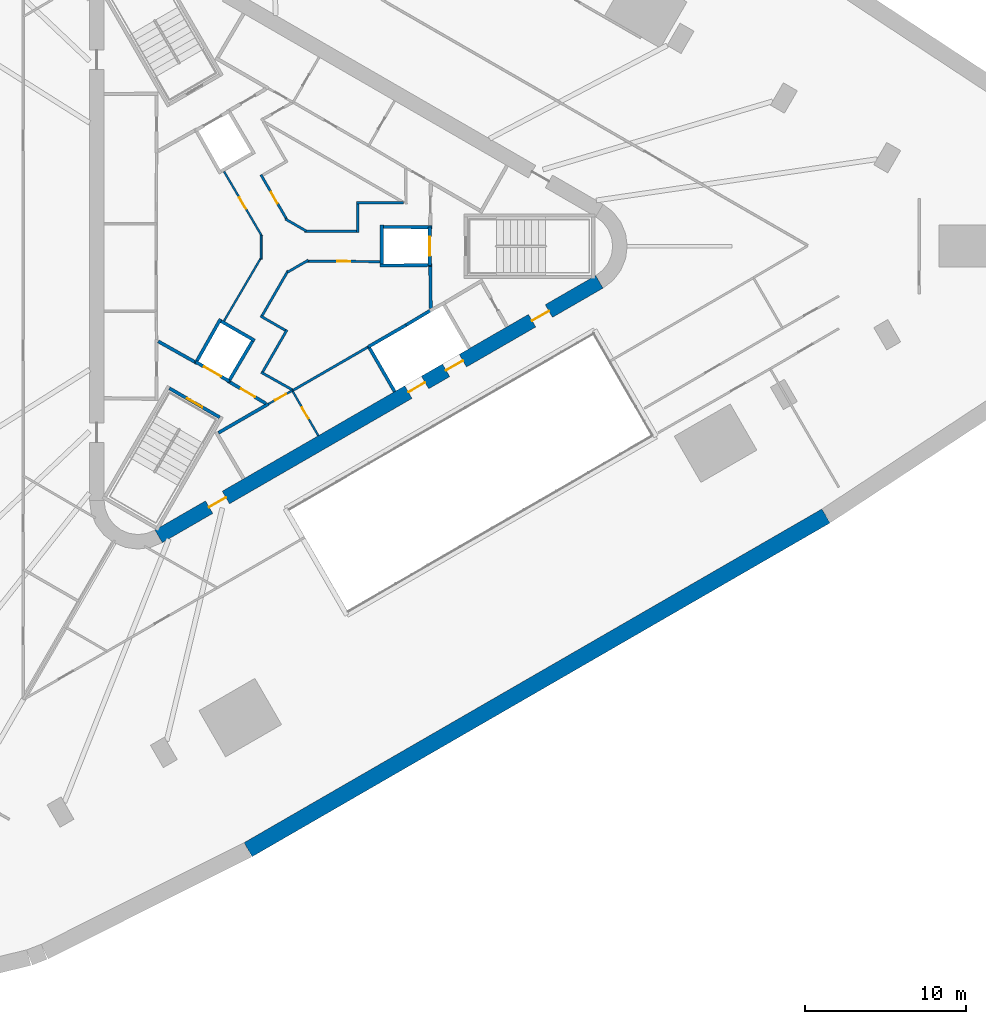
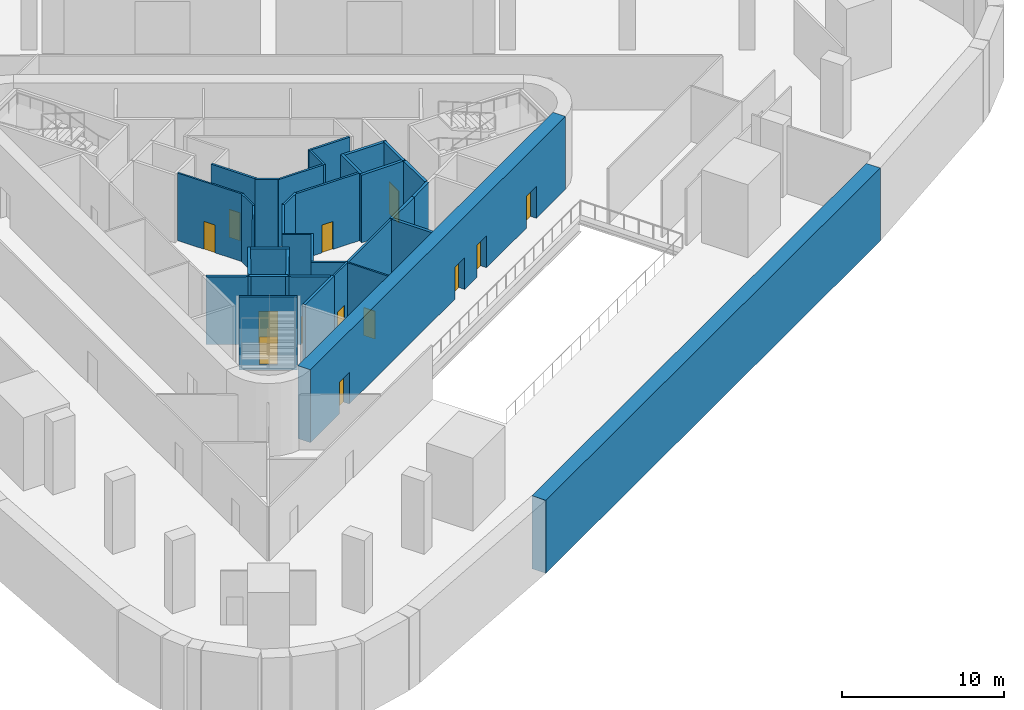
# One storey, part 6 of 13: 35 walls, 13 doors, 13 openings.
"""IFC4 building model written with IfcOpenShell, lengths in metres."""

from ifc_helpers import new_model, si_unit, direction, frame, frame_2d, origin, place, context, subcontext, project, spatial, rectangle, extrude, material, layer, layer_set, type_object, element, fill, save


model = new_model("IFC4")

# Units and contexts
model_context = context("Model", 3, precision=1e-05, world=origin(), true_north=direction((0.0, 1.0)))
body_context = subcontext(model_context, "Body", "Model", "MODEL_VIEW")
ifc_project = project(units=[si_unit("LENGTHUNIT", "METRE"), si_unit("AREAUNIT", "SQUARE_METRE"), si_unit("VOLUMEUNIT", "CUBIC_METRE"), si_unit("PLANEANGLEUNIT", "RADIAN"), si_unit("MASSUNIT", "GRAM", prefix="KILO")], contexts=[model_context])

# Site, building, storey
site_placement = place(None, origin())
site = spatial("IfcSite", under=ifc_project, at=site_placement, CompositionType="ELEMENT")
building_placement = place(site_placement, origin())
building = spatial("IfcBuilding", under=site, at=building_placement, Name="Tanit Gate Tower", CompositionType="ELEMENT")
storey_placement = place(building_placement, frame((0.0, 0.0, -5.5)))
storey = spatial("IfcBuildingStorey", under=building, at=storey_placement, Name="B1", CompositionType="ELEMENT", Elevation=-5.5)

# Wall, openings, doors
ifc_material_1 = material(Name="Concrete C60/75", Category="concrete")
ifc_layer_1 = layer(ifc_material_1, 0.89990234375)
ifc_layer_set_1 = layer_set([ifc_layer_1], Name="CORE WALL 900 C60/75")
wall_type_1 = type_object("IfcWallType", Name="CORE WALL 900 C60/75", PredefinedType="SHEAR", material=ifc_layer_set_1)
wall_1_placement = place(storey_placement, frame((-7.824951171875, -17.969970703125, 0.0), z_axis=(0.0, 0.0, 1.0), x_axis=(0.866028369851, 0.499994862586, 0.0)))
wall_1 = element("IfcWall", 1, at=wall_1_placement, inside=storey, type_object=wall_type_1, Name="CORE WALL", PredefinedType="SHEAR", context=body_context, shape_type="SweptSolid", body=[
    extrude(rectangle(XDim=31.523193359375, YDim=0.89990234375, at=frame_2d((15.76171875, 0.0))), origin(), (0.0, 0.0, 1.0), 5.5),
])
opening_1_placement = place(wall_1_placement, frame((17.861572265625, 0.0, 0.0)))
opening_1 = element("IfcOpeningElement", 2, at=opening_1_placement, cuts=wall_1, Name="Opening LDSV1-B1", PredefinedType="OPENING", context=body_context, shape_type="SweptSolid", body=[
    extrude(rectangle(XDim=1.199951171875, YDim=2.39990234375, at=frame_2d((0.60009765625, 1.199951171875))), frame((0.0, 0.4599609375, 0.0), z_axis=(0.0, -1.0, 0.0), x_axis=(1.0, 0.0, 0.0)), (0.0, 0.0, 1.0), 0.919921875),
])
opening_2_placement = place(wall_1_placement, frame((20.561767578125, 0.0, 0.0)))
opening_2 = element("IfcOpeningElement", 3, at=opening_2_placement, cuts=wall_1, Name="Opening LDSV2-B1", PredefinedType="OPENING", context=body_context, shape_type="SweptSolid", body=[
    extrude(rectangle(XDim=1.199951171875, YDim=2.39990234375, at=frame_2d((0.60009765625, 1.199951171875))), frame((0.0, 0.4599609375, 0.0), z_axis=(0.0, -1.0, 0.0), x_axis=(1.0, 0.0, 0.0)), (0.0, 0.0, 1.0), 0.919921875),
])
opening_3_placement = place(wall_1_placement, frame((26.711669921875, 0.0, 0.0)))
opening_3 = element("IfcOpeningElement", 4, at=opening_3_placement, cuts=wall_1, Name="Opening F12-B1-S1", PredefinedType="OPENING", context=body_context, shape_type="SweptSolid", body=[
    extrude(rectangle(XDim=1.199951171875, YDim=2.39990234375, at=frame_2d((0.60009765625, 1.199951171875))), frame((0.0, 0.4599609375, 0.0), z_axis=(0.0, -1.0, 0.0), x_axis=(1.0, 0.0, 0.0)), (0.0, 0.0, 1.0), 0.919921875),
])
opening_4_placement = place(wall_1_placement, frame((3.611572265625, 0.0, 0.0)))
opening_4 = element("IfcOpeningElement", 5, at=opening_4_placement, cuts=wall_1, Name="Opening F12-B1-FL3", PredefinedType="OPENING", context=body_context, shape_type="SweptSolid", body=[
    extrude(rectangle(XDim=1.199951171875, YDim=2.39990234375, at=frame_2d((0.60009765625, 1.199951171875))), frame((0.0, 0.4599609375, 0.0), z_axis=(0.0, -1.0, 0.0), x_axis=(1.0, 0.0, 0.0)), (0.0, 0.0, 1.0), 0.919921875),
])
ifc_material_2 = material(Name="Fire-rated steel door leaf", Category="steel")
door_type_1 = type_object("IfcDoorType", Name="INT-DOOR-FIRE-LOBBY-1200", OperationType="NOTDEFINED", PredefinedType="USERDEFINED", material=ifc_material_2)
door_1_placement = place(opening_3_placement, origin())
door_1 = element("IfcDoor", 6, at=door_1_placement, inside=storey, type_object=door_type_1, Name="Door F12-B1-S1", ObjectType="FIRE DOOR", OperationType="SINGLE_SWING_LEFT", OverallHeight=2.39990234375, OverallWidth=1.199951171875, PredefinedType="USERDEFINED", context=body_context, shape_type="SweptSolid", body=[
    extrude(rectangle(XDim=1.199951171875, YDim=2.39990234375, at=frame_2d((0.60009765625, 1.199951171875))), frame((0.0, 0.02490234375, 0.0), z_axis=(0.0, -1.0, 0.0), x_axis=(1.0, 0.0, 0.0)), (0.0, 0.0, 1.0), 0.050048828125),
])
fill(opening_3, door_1)
door_2_placement = place(opening_4_placement, origin())
door_2 = element("IfcDoor", 7, at=door_2_placement, inside=storey, type_object=door_type_1, Name="Door F12-B1-FL3", ObjectType="FIRE DOOR", OperationType="SINGLE_SWING_RIGHT", OverallHeight=2.39990234375, OverallWidth=1.199951171875, PredefinedType="USERDEFINED", context=body_context, shape_type="SweptSolid", body=[
    extrude(rectangle(XDim=1.199951171875, YDim=2.39990234375, at=frame_2d((0.60009765625, 1.199951171875))), frame((0.0, 0.02490234375, 0.0), z_axis=(0.0, -1.0, 0.0), x_axis=(1.0, 0.0, 0.0)), (0.0, 0.0, 1.0), 0.050048828125),
])
fill(opening_4, door_2)
ifc_material_3 = material(Name="Stainless steel sliding door leaf", Category="steel")
door_type_2 = type_object("IfcDoorType", Name="INT-DOOR-LANDING-1200", OperationType="NOTDEFINED", PredefinedType="USERDEFINED", material=ifc_material_3)
door_3_placement = place(opening_1_placement, origin())
door_3 = element("IfcDoor", 8, at=door_3_placement, inside=storey, type_object=door_type_2, Name="Door LDSV1-B1", ObjectType="LANDING DOOR", OperationType="SLIDING_TO_LEFT", OverallHeight=2.39990234375, OverallWidth=1.199951171875, PredefinedType="USERDEFINED", context=body_context, shape_type="SweptSolid", body=[
    extrude(rectangle(XDim=1.199951171875, YDim=2.39990234375, at=frame_2d((0.60009765625, 1.199951171875))), frame((0.0, 0.02490234375, 0.0), z_axis=(0.0, -1.0, 0.0), x_axis=(1.0, 0.0, 0.0)), (0.0, 0.0, 1.0), 0.050048828125),
])
fill(opening_1, door_3)
door_4_placement = place(opening_2_placement, origin())
door_4 = element("IfcDoor", 9, at=door_4_placement, inside=storey, type_object=door_type_2, Name="Door LDSV2-B1", ObjectType="LANDING DOOR", OperationType="SLIDING_TO_LEFT", OverallHeight=2.39990234375, OverallWidth=1.199951171875, PredefinedType="USERDEFINED", context=body_context, shape_type="SweptSolid", body=[
    extrude(rectangle(XDim=1.199951171875, YDim=2.39990234375, at=frame_2d((0.60009765625, 1.199951171875))), frame((0.0, 0.02490234375, 0.0), z_axis=(0.0, -1.0, 0.0), x_axis=(1.0, 0.0, 0.0)), (0.0, 0.0, 1.0), 0.050048828125),
])
fill(opening_2, door_4)

# Walls
ifc_material_4 = material(Name="Concrete C35/45", Category="concrete")
ifc_layer_2 = layer(ifc_material_4, 1.0)
ifc_layer_set_2 = layer_set([ifc_layer_2], Name="DIAPHRAGM WALL 1000 C35/45")
wall_type_2 = type_object("IfcWallType", Name="DIAPHRAGM WALL 1000 C35/45", PredefinedType="SHEAR", material=ifc_layer_set_2)
wall_2_placement = place(storey_placement, frame((33.51171875, -16.709716796875, 0.0), z_axis=(0.0, 0.0, 1.0), x_axis=(-0.865991212225, -0.500059216843, 0.0)))
element("IfcWall", 10, at=wall_2_placement, inside=storey, type_object=wall_type_2, Name="DIAPHRAGM WALL", PredefinedType="SHEAR", context=body_context, shape_type="SweptSolid", body=[
    extrude(rectangle(XDim=41.33349609375, YDim=1.0, at=frame_2d((20.666748046875, 0.0))), origin(), (0.0, 0.0, 1.0), 5.5),
])
ifc_material_5 = material(Name="Fire-rated gypsum board partition")
ifc_layer_3 = layer(ifc_material_5, 0.199951171875)
ifc_layer_set_3 = layer_set([ifc_layer_3], Name="INT-WALL-COMPARTMENT")
wall_type_3 = type_object("IfcWallType", Name="INT-WALL-COMPARTMENT", PredefinedType="PARTITIONING", material=ifc_layer_set_3)
wall_3_placement = place(storey_placement, frame((-1.02392578125, -9.77099609375, 0.0), z_axis=(0.0, 0.0, 1.0), x_axis=(-0.866029903013, -0.499992207027, 0.0)))
element("IfcWall", 11, at=wall_3_placement, inside=storey, type_object=wall_type_3, Name="Wall Compartment W054", PredefinedType="PARTITIONING", context=body_context, shape_type="SweptSolid", body=[
    extrude(rectangle(XDim=3.57763671875, YDim=0.199951171875, at=frame_2d((1.788818359375, 0.0))), origin(), (0.0, 0.0, 1.0), 5.10009765625),
])
wall_4_placement = place(storey_placement, frame((9.02880859375, -3.8505859375, 0.0), z_axis=(0.0, 0.0, 1.0), x_axis=(-0.010784614026, 0.999941844359, 0.0)))
element("IfcWall", 12, at=wall_4_placement, inside=storey, type_object=wall_type_3, Name="Wall Compartment W059", PredefinedType="PARTITIONING", context=body_context, shape_type="SweptSolid", body=[
    extrude(rectangle(XDim=2.580810546875, YDim=0.199951171875, at=frame_2d((1.29052734375, 0.0))), origin(), (0.0, 0.0, 1.0), 5.10009765625),
])
wall_5_placement = place(storey_placement, frame((-7.85009765625, -5.893310546875, 0.0), z_axis=(0.0, 0.0, 1.0), x_axis=(0.871350695252, -0.490660744185, 0.0)))
element("IfcWall", 13, at=wall_5_placement, inside=storey, type_object=wall_type_3, Name="Wall Compartment W063", PredefinedType="PARTITIONING", context=body_context, shape_type="SweptSolid", body=[
    extrude(rectangle(XDim=2.58203125, YDim=0.199951171875, at=frame_2d((1.291015625, 0.0))), origin(), (0.0, 0.0, 1.0), 5.10009765625),
])

# Wall, opening, door
wall_6_placement = place(storey_placement, frame((-3.400634765625, -8.43017578125, 0.0), z_axis=(0.0, 0.0, 1.0), x_axis=(0.860630814782, -0.509229418482, 0.0)))
wall_6 = element("IfcWall", 14, at=wall_6_placement, inside=storey, type_object=wall_type_3, Name="Wall Compartment W064", PredefinedType="PARTITIONING", context=body_context, shape_type="SweptSolid", body=[
    extrude(rectangle(XDim=2.581787109375, YDim=0.199951171875, at=frame_2d((1.291015625, 0.0))), origin(), (0.0, 0.0, 1.0), 5.10009765625),
])
opening_5_placement = place(wall_6_placement, frame((0.791015625, 0.0, 0.0)))
opening_5 = element("IfcOpeningElement", 15, at=opening_5_placement, cuts=wall_6, Name="Opening F10-B1-08", PredefinedType="OPENING", context=body_context, shape_type="SweptSolid", body=[
    extrude(rectangle(XDim=1.0, YDim=2.10009765625, at=frame_2d((0.5, 1.050048828125))), frame((0.0, 0.10986328125, 0.0), z_axis=(0.0, -1.0, 0.0), x_axis=(1.0, 0.0, 0.0)), (0.0, 0.0, 1.0), 0.219970703125),
])
ifc_material_6 = material(Name="Fire-rated steel door leaf", Category="steel")
door_type_3 = type_object("IfcDoorType", Name="INT-DOOR-FIRE-1000", OperationType="NOTDEFINED", PredefinedType="USERDEFINED", material=ifc_material_6)
door_5_placement = place(opening_5_placement, origin())
door_5 = element("IfcDoor", 16, at=door_5_placement, inside=storey, type_object=door_type_3, Name="Door F10-B1-08", ObjectType="FIRE DOOR", OperationType="SINGLE_SWING_RIGHT", OverallHeight=2.10009765625, OverallWidth=1.0, PredefinedType="USERDEFINED", context=body_context, shape_type="SweptSolid", body=[
    extrude(rectangle(XDim=1.0, YDim=2.10009765625, at=frame_2d((0.5, 1.050048828125))), frame((0.0, 0.02490234375, 0.0), z_axis=(0.0, -1.0, 0.0), x_axis=(1.0, 0.0, 0.0)), (0.0, 0.0, 1.0), 0.050048828125),
])
fill(opening_5, door_5)

ifc_material_7 = material(Name="Gypsum board partition")
ifc_layer_4 = layer(ifc_material_7, 0.1201171875)
ifc_layer_set_4 = layer_set([ifc_layer_4], Name="INT-WALL-PARTITION")
wall_type_4 = type_object("IfcWallType", Name="INT-WALL-PARTITION", PredefinedType="PARTITIONING", material=ifc_layer_set_4)
wall_7_placement = place(storey_placement, frame((2.066650390625, -11.739501953125, 0.0), z_axis=(0.0, 0.0, 1.0), x_axis=(-0.499984717929, 0.866034226713, 0.0)))
wall_7 = element("IfcWall", 17, at=wall_7_placement, inside=storey, type_object=wall_type_4, Name="Wall Partition W052", PredefinedType="PARTITIONING", context=body_context, shape_type="SweptSolid", body=[
    extrude(rectangle(XDim=3.25, YDim=0.1201171875, at=frame_2d((1.625, 0.0))), origin(), (0.0, 0.0, 1.0), 5.10009765625),
])
opening_6_placement = place(wall_7_placement, frame((1.22509765625, 0.0, 0.0)))
opening_6 = element("IfcOpeningElement", 18, at=opening_6_placement, cuts=wall_7, Name="Opening R08-B1-21", PredefinedType="OPENING", context=body_context, shape_type="SweptSolid", body=[
    extrude(rectangle(XDim=0.800048828125, YDim=2.10009765625, at=frame_2d((0.39990234375, 1.050048828125))), frame((0.0, 0.070068359375, 0.0), z_axis=(0.0, -1.0, 0.0), x_axis=(1.0, 0.0, 0.0)), (0.0, 0.0, 1.0), 0.14013671875),
])
ifc_material_8 = material(Name="Timber door leaf", Category="wood")
door_type_4 = type_object("IfcDoorType", Name="INT-DOOR-RISER-800", OperationType="NOTDEFINED", PredefinedType="USERDEFINED", material=ifc_material_8)
door_6_placement = place(opening_6_placement, origin())
door_6 = element("IfcDoor", 19, at=door_6_placement, inside=storey, type_object=door_type_4, Name="Door R08-B1-21", ObjectType="FIRE DOOR", OperationType="SINGLE_SWING_RIGHT", OverallHeight=2.10009765625, OverallWidth=0.800048828125, PredefinedType="USERDEFINED", context=body_context, shape_type="SweptSolid", body=[
    extrude(rectangle(XDim=0.800048828125, YDim=2.10009765625, at=frame_2d((0.39990234375, 1.050048828125))), frame((0.0, 0.02490234375, 0.0), z_axis=(0.0, -1.0, 0.0), x_axis=(1.0, 0.0, 0.0)), (0.0, 0.0, 1.0), 0.050048828125),
])
fill(opening_6, door_6)

wall_8_placement = place(storey_placement, frame((0.478271484375, -8.928466796875, 0.0), z_axis=(0.0, 0.0, 1.0), x_axis=(-0.871968924608, -0.489561226527, 0.0)))
wall_8 = element("IfcWall", 20, at=wall_8_placement, inside=storey, type_object=wall_type_4, Name="Wall Partition W055", PredefinedType="PARTITIONING", context=body_context, shape_type="SweptSolid", body=[
    extrude(rectangle(XDim=1.722412109375, YDim=0.1201171875, at=frame_2d((0.861328125, 0.0))), origin(), (0.0, 0.0, 1.0), 5.10009765625),
])
opening_7_placement = place(wall_8_placement, frame((0.461181640625, 0.0, 0.0)))
opening_7 = element("IfcOpeningElement", 21, at=opening_7_placement, cuts=wall_8, Name="Opening R08-B1-20", PredefinedType="OPENING", context=body_context, shape_type="SweptSolid", body=[
    extrude(rectangle(XDim=0.800048828125, YDim=2.10009765625, at=frame_2d((0.39990234375, 1.050048828125))), frame((0.0, 0.070068359375, 0.0), z_axis=(0.0, -1.0, 0.0), x_axis=(1.0, 0.0, 0.0)), (0.0, 0.0, 1.0), 0.14013671875),
])
door_7_placement = place(opening_7_placement, origin())
door_7 = element("IfcDoor", 22, at=door_7_placement, inside=storey, type_object=door_type_4, Name="Door R08-B1-20", ObjectType="FIRE DOOR", OperationType="SINGLE_SWING_RIGHT", OverallHeight=2.10009765625, OverallWidth=0.800048828125, PredefinedType="USERDEFINED", context=body_context, shape_type="SweptSolid", body=[
    extrude(rectangle(XDim=0.800048828125, YDim=2.10009765625, at=frame_2d((0.39990234375, 1.050048828125))), frame((0.0, 0.02490234375, 0.0), z_axis=(0.0, -1.0, 0.0), x_axis=(1.0, 0.0, 0.0)), (0.0, 0.0, 1.0), 0.050048828125),
])
fill(opening_7, door_7)

wall_9_placement = place(storey_placement, frame((-1.42041015625, 0.611572265625, 0.0), z_axis=(0.0, 0.0, 1.0), x_axis=(-0.505492266403, 0.862831135627, 0.0)))
wall_9 = element("IfcWall", 23, at=wall_9_placement, inside=storey, type_object=wall_type_4, Name="Wall Partition W065", PredefinedType="PARTITIONING", context=body_context, shape_type="SweptSolid", body=[
    extrude(rectangle(XDim=4.66015625, YDim=0.1201171875, at=frame_2d((2.330078125, 0.0))), origin(), (0.0, 0.0, 1.0), 5.10009765625),
])
opening_8_placement = place(wall_9_placement, frame((1.981201171875, 0.0, 0.0)))
opening_8 = element("IfcOpeningElement", 24, at=opening_8_placement, cuts=wall_9, Name="Opening R08-B1-10", PredefinedType="OPENING", context=body_context, shape_type="SweptSolid", body=[
    extrude(rectangle(XDim=0.800048828125, YDim=2.10009765625, at=frame_2d((0.39990234375, 1.050048828125))), frame((0.0, 0.070068359375, 0.0), z_axis=(0.0, -1.0, 0.0), x_axis=(1.0, 0.0, 0.0)), (0.0, 0.0, 1.0), 0.14013671875),
])
door_8_placement = place(opening_8_placement, origin())
door_8 = element("IfcDoor", 25, at=door_8_placement, inside=storey, type_object=door_type_4, Name="Door R08-B1-10", ObjectType="FIRE DOOR", OperationType="SINGLE_SWING_RIGHT", OverallHeight=2.10009765625, OverallWidth=0.800048828125, PredefinedType="USERDEFINED", context=body_context, shape_type="SweptSolid", body=[
    extrude(rectangle(XDim=0.800048828125, YDim=2.10009765625, at=frame_2d((0.39990234375, 1.050048828125))), frame((0.0, 0.02490234375, 0.0), z_axis=(0.0, -1.0, 0.0), x_axis=(1.0, 0.0, 0.0)), (0.0, 0.0, 1.0), 0.050048828125),
])
fill(opening_8, door_8)

# Walls
wall_10_placement = place(storey_placement, frame((-1.47216796875, -0.802490234375, 0.0), z_axis=(0.0, 0.0, 1.0), x_axis=(0.0, 1.0, 0.0)))
element("IfcWall", 26, at=wall_10_placement, inside=storey, type_object=wall_type_4, Name="Wall Partition W066", PredefinedType="PARTITIONING", context=body_context, shape_type="SweptSolid", body=[
    extrude(rectangle(XDim=1.483642578125, YDim=0.1201171875, at=frame_2d((0.74169921875, 0.0))), origin(), (0.0, 0.0, 1.0), 5.10009765625),
])
wall_11_placement = place(storey_placement, frame((-3.776123046875, -4.632568359375, 0.0), z_axis=(0.0, 0.0, 1.0), x_axis=(0.505505519663, 0.862823371027, 0.0)))
element("IfcWall", 27, at=wall_11_placement, inside=storey, type_object=wall_type_4, Name="Wall Partition W067", PredefinedType="PARTITIONING", context=body_context, shape_type="SweptSolid", body=[
    extrude(rectangle(XDim=4.538818359375, YDim=0.1201171875, at=frame_2d((2.26953125, 0.0))), origin(), (0.0, 0.0, 1.0), 5.10009765625),
])
ifc_material_9 = material(Name="Fire-rated gypsum board partition")
ifc_layer_5 = layer(ifc_material_9, 0.14990234375)
ifc_layer_set_5 = layer_set([ifc_layer_5], Name="INT-WALL-RISER")
wall_type_5 = type_object("IfcWallType", Name="INT-WALL-RISER", PredefinedType="PLUMBINGWALL", material=ifc_layer_set_5)
wall_12_placement = place(storey_placement, frame((0.482666015625, -8.935791015625, 0.0), z_axis=(0.0, 0.0, 1.0), x_axis=(0.866028230842, 0.499995103361, 0.0)))
element("IfcWall", 28, at=wall_12_placement, inside=storey, type_object=wall_type_5, Name="Wall Riser W056", PredefinedType="PLUMBINGWALL", context=body_context, shape_type="SweptSolid", body=[
    extrude(rectangle(XDim=5.39990234375, YDim=0.14990234375, at=frame_2d((2.699951171875, 0.0))), origin(), (0.0, 0.0, 1.0), 5.10009765625),
])
wall_13_placement = place(storey_placement, frame((-1.47705078125, -7.808349609375, 0.0), z_axis=(0.0, 0.0, 1.0), x_axis=(0.871822901869, -0.48982122022, 0.0)))
element("IfcWall", 29, at=wall_13_placement, inside=storey, type_object=wall_type_5, Name="Wall Riser W068", PredefinedType="PLUMBINGWALL", context=body_context, shape_type="SweptSolid", body=[
    extrude(rectangle(XDim=2.239501953125, YDim=0.14990234375, at=frame_2d((1.11962890625, 0.0))), origin(), (0.0, 0.0, 1.0), 5.10009765625),
])
wall_14_placement = place(storey_placement, frame((0.125732421875, -5.18212890625, 0.0), z_axis=(0.0, 0.0, 1.0), x_axis=(-0.499990139034, -0.866031096941, 0.0)))
element("IfcWall", 30, at=wall_14_placement, inside=storey, type_object=wall_type_5, Name="Wall Riser W069", PredefinedType="PLUMBINGWALL", context=body_context, shape_type="SweptSolid", body=[
    extrude(rectangle(XDim=3.0, YDim=0.14990234375, at=frame_2d((1.5, 0.0))), origin(), (0.0, 0.0, 1.0), 5.10009765625),
])
wall_15_placement = place(storey_placement, frame((-1.513916015625, -4.322021484375, 0.0), z_axis=(0.0, 0.0, 1.0), x_axis=(0.866000072607, -0.50004387232, 0.0)))
element("IfcWall", 31, at=wall_15_placement, inside=storey, type_object=wall_type_5, Name="Wall Riser W070", PredefinedType="PLUMBINGWALL", context=body_context, shape_type="SweptSolid", body=[
    extrude(rectangle(XDim=1.775146484375, YDim=0.14990234375, at=frame_2d((0.8876953125, 0.0))), origin(), (0.0, 0.0, 1.0), 5.10009765625),
])
wall_16_placement = place(storey_placement, frame((0.19482421875, -1.512451171875, 0.0), z_axis=(0.0, 0.0, 1.0), x_axis=(-0.499972432429, -0.866041319344, 0.0)))
element("IfcWall", 32, at=wall_16_placement, inside=storey, type_object=wall_type_5, Name="Wall Riser W071", PredefinedType="PLUMBINGWALL", context=body_context, shape_type="SweptSolid", body=[
    extrude(rectangle(XDim=3.212646484375, YDim=0.14990234375, at=frame_2d((1.6064453125, 0.0))), origin(), (0.0, 0.0, 1.0), 5.10009765625),
])
wall_17_placement = place(storey_placement, frame((1.453125, -0.861083984375, 0.0), z_axis=(0.0, 0.0, 1.0), x_axis=(-0.86608832794, -0.499890996325, 0.0)))
element("IfcWall", 33, at=wall_17_placement, inside=storey, type_object=wall_type_5, Name="Wall Riser W072", PredefinedType="PLUMBINGWALL", context=body_context, shape_type="SweptSolid", body=[
    extrude(rectangle(XDim=1.504638671875, YDim=0.14990234375, at=frame_2d((0.75244140625, 0.0))), origin(), (0.0, 0.0, 1.0), 5.10009765625),
])

# Wall, opening, door
wall_18_placement = place(storey_placement, frame((5.89990234375, -0.953857421875, 0.0), z_axis=(0.0, 0.0, 1.0), x_axis=(-0.999979813999, 0.006353864523, 0.0)))
wall_18 = element("IfcWall", 34, at=wall_18_placement, inside=storey, type_object=wall_type_5, Name="Wall Riser W073", PredefinedType="PLUMBINGWALL", context=body_context, shape_type="SweptSolid", body=[
    extrude(rectangle(XDim=4.533935546875, YDim=0.14990234375, at=frame_2d((2.26708984375, 0.0))), origin(), (0.0, 0.0, 1.0), 5.10009765625),
])
opening_9_placement = place(wall_18_placement, frame((1.8671875, 0.0, 0.0)))
opening_9 = element("IfcOpeningElement", 35, at=opening_9_placement, cuts=wall_18, Name="Opening R08-B1-11", PredefinedType="OPENING", context=body_context, shape_type="SweptSolid", body=[
    extrude(rectangle(XDim=0.800048828125, YDim=2.10009765625, at=frame_2d((0.39990234375, 1.050048828125))), frame((0.0, 0.0849609375, 0.0), z_axis=(0.0, -1.0, 0.0), x_axis=(1.0, 0.0, 0.0)), (0.0, 0.0, 1.0), 0.169921875),
])
door_9_placement = place(opening_9_placement, origin())
door_9 = element("IfcDoor", 36, at=door_9_placement, inside=storey, type_object=door_type_4, Name="Door R08-B1-11", ObjectType="FIRE DOOR", OperationType="SINGLE_SWING_LEFT", OverallHeight=2.10009765625, OverallWidth=0.800048828125, PredefinedType="USERDEFINED", context=body_context, shape_type="SweptSolid", body=[
    extrude(rectangle(XDim=0.800048828125, YDim=2.10009765625, at=frame_2d((0.39990234375, 1.050048828125))), frame((0.0, 0.02490234375, 0.0), z_axis=(0.0, -1.0, 0.0), x_axis=(1.0, 0.0, 0.0)), (0.0, 0.0, 1.0), 0.050048828125),
])
fill(opening_9, door_9)

# Walls
wall_19_placement = place(storey_placement, frame((4.425048828125, 2.699951171875, 0.0), z_axis=(0.0, 0.0, 1.0), x_axis=(1.0, 0.0, 0.0)))
element("IfcWall", 37, at=wall_19_placement, inside=storey, type_object=wall_type_5, Name="Wall Riser W079", PredefinedType="PLUMBINGWALL", context=body_context, shape_type="SweptSolid", body=[
    extrude(rectangle(XDim=2.911865234375, YDim=0.14990234375, at=frame_2d((1.4560546875, 0.0))), origin(), (0.0, 0.0, 1.0), 5.10009765625),
])
wall_20_placement = place(storey_placement, frame((4.5, 0.85009765625, 0.0), z_axis=(0.0, 0.0, 1.0), x_axis=(0.0, 1.0, 0.0)))
element("IfcWall", 38, at=wall_20_placement, inside=storey, type_object=wall_type_5, Name="Wall Riser W080", PredefinedType="PLUMBINGWALL", context=body_context, shape_type="SweptSolid", body=[
    extrude(rectangle(XDim=1.77490234375, YDim=0.14990234375, at=frame_2d((0.887451171875, 0.0))), origin(), (0.0, 0.0, 1.0), 5.10009765625),
])
wall_21_placement = place(storey_placement, frame((1.21240234375, 0.925048828125, 0.0), z_axis=(0.0, 0.0, 1.0), x_axis=(1.0, 0.0, 0.0)))
element("IfcWall", 39, at=wall_21_placement, inside=storey, type_object=wall_type_5, Name="Wall Riser W081", PredefinedType="PLUMBINGWALL", context=body_context, shape_type="SweptSolid", body=[
    extrude(rectangle(XDim=3.212646484375, YDim=0.14990234375, at=frame_2d((1.6064453125, 0.0))), origin(), (0.0, 0.0, 1.0), 5.10009765625),
])
wall_22_placement = place(storey_placement, frame((0.017333984375, 1.68994140625, 0.0), z_axis=(0.0, 0.0, 1.0), x_axis=(0.866020997002, -0.500007632694, 0.0)))
element("IfcWall", 40, at=wall_22_placement, inside=storey, type_object=wall_type_5, Name="Wall Riser W082", PredefinedType="PLUMBINGWALL", context=body_context, shape_type="SweptSolid", body=[
    extrude(rectangle(XDim=1.5068359375, YDim=0.14990234375, at=frame_2d((0.75341796875, 0.0))), origin(), (0.0, 0.0, 1.0), 5.10009765625),
])

# Wall, opening, door
wall_23_placement = place(storey_placement, frame((-1.486328125, 4.424560546875, 0.0), z_axis=(0.0, 0.0, 1.0), x_axis=(0.499992422807, -0.866029778435, 0.0)))
wall_23 = element("IfcWall", 41, at=wall_23_placement, inside=storey, type_object=wall_type_5, Name="Wall Riser W083", PredefinedType="PLUMBINGWALL", context=body_context, shape_type="SweptSolid", body=[
    extrude(rectangle(XDim=3.20947265625, YDim=0.14990234375, at=frame_2d((1.604736328125, 0.0))), origin(), (0.0, 0.0, 1.0), 5.10009765625),
])
opening_10_placement = place(wall_23_placement, frame((1.2421875, 0.0, 0.0)))
opening_10 = element("IfcOpeningElement", 42, at=opening_10_placement, cuts=wall_23, Name="Opening R08-B1-13", PredefinedType="OPENING", context=body_context, shape_type="SweptSolid", body=[
    extrude(rectangle(XDim=0.800048828125, YDim=2.10009765625, at=frame_2d((0.39990234375, 1.050048828125))), frame((0.0, 0.0849609375, 0.0), z_axis=(0.0, -1.0, 0.0), x_axis=(1.0, 0.0, 0.0)), (0.0, 0.0, 1.0), 0.169921875),
])
door_10_placement = place(opening_10_placement, origin())
door_10 = element("IfcDoor", 43, at=door_10_placement, inside=storey, type_object=door_type_4, Name="Door R08-B1-13", ObjectType="FIRE DOOR", OperationType="SINGLE_SWING_LEFT", OverallHeight=2.10009765625, OverallWidth=0.800048828125, PredefinedType="USERDEFINED", context=body_context, shape_type="SweptSolid", body=[
    extrude(rectangle(XDim=0.800048828125, YDim=2.10009765625, at=frame_2d((0.39990234375, 1.050048828125))), frame((0.0, 0.02490234375, 0.0), z_axis=(0.0, -1.0, 0.0), x_axis=(1.0, 0.0, 0.0)), (0.0, 0.0, 1.0), 0.050048828125),
])
fill(opening_10, door_10)

# Walls
ifc_material_10 = material(Name="Gypsum shaft wall system")
ifc_layer_6 = layer(ifc_material_10, 0.199951171875)
ifc_layer_set_6 = layer_set([ifc_layer_6], Name="INT-WALL-SHAFT")
wall_type_6 = type_object("IfcWallType", Name="INT-WALL-SHAFT", PredefinedType="PLUMBINGWALL", material=ifc_layer_set_6)
wall_24_placement = place(storey_placement, frame((6.795166015625, -9.009521484375, 0.0), z_axis=(0.0, 0.0, 1.0), x_axis=(-0.499984717929, 0.866034226713, 0.0)))
element("IfcWall", 44, at=wall_24_placement, inside=storey, type_object=wall_type_6, Name="Wall Shaft W001", PredefinedType="PLUMBINGWALL", context=body_context, shape_type="SweptSolid", body=[
    extrude(rectangle(XDim=3.25, YDim=0.199951171875, at=frame_2d((1.625, 0.0))), origin(), (0.0, 0.0, 1.0), 5.10009765625),
])
wall_25_placement = place(storey_placement, frame((5.1591796875, -6.23583984375, 0.0), z_axis=(0.0, 0.0, 1.0), x_axis=(0.866036505625, 0.499980770555, 0.0)))
element("IfcWall", 45, at=wall_25_placement, inside=storey, type_object=wall_type_6, Name="Wall Shaft W002", PredefinedType="PLUMBINGWALL", context=body_context, shape_type="SweptSolid", body=[
    extrude(rectangle(XDim=2.69970703125, YDim=0.199951171875, at=frame_2d((1.349853515625, 0.0))), origin(), (0.0, 0.0, 1.0), 5.10009765625),
])
wall_26_placement = place(storey_placement, frame((7.497314453125, -4.885986328125, 0.0), z_axis=(0.0, 0.0, 1.0), x_axis=(0.857516281273, 0.51445682749, 0.0)))
element("IfcWall", 46, at=wall_26_placement, inside=storey, type_object=wall_type_6, Name="Wall Shaft W005", PredefinedType="PLUMBINGWALL", context=body_context, shape_type="SweptSolid", body=[
    extrude(rectangle(XDim=1.8447265625, YDim=0.199951171875, at=frame_2d((0.92236328125, 0.0))), origin(), (0.0, 0.0, 1.0), 5.10009765625),
])

# Wall, opening, door
wall_27_placement = place(storey_placement, frame((8.969970703125, 1.199951171875, 0.0), z_axis=(0.0, 0.0, 1.0), x_axis=(0.0, -1.0, 0.0)))
wall_27 = element("IfcWall", 47, at=wall_27_placement, inside=storey, type_object=wall_type_6, Name="Wall Shaft W010", PredefinedType="PLUMBINGWALL", context=body_context, shape_type="SweptSolid", body=[
    extrude(rectangle(XDim=2.39990234375, YDim=0.199951171875, at=frame_2d((1.199951171875, 0.0))), origin(), (0.0, 0.0, 1.0), 5.10009765625),
])
opening_11_placement = place(wall_27_placement, frame((0.60009765625, 0.0, 0.0)))
opening_11 = element("IfcOpeningElement", 48, at=opening_11_placement, cuts=wall_27, Name="Opening LDFL1-B1", PredefinedType="OPENING", context=body_context, shape_type="SweptSolid", body=[
    extrude(rectangle(XDim=1.199951171875, YDim=2.39990234375, at=frame_2d((0.60009765625, 1.199951171875))), frame((0.0, 0.10986328125, 0.0), z_axis=(0.0, -1.0, 0.0), x_axis=(1.0, 0.0, 0.0)), (0.0, 0.0, 1.0), 0.219970703125),
])
door_11_placement = place(opening_11_placement, origin())
door_11 = element("IfcDoor", 49, at=door_11_placement, inside=storey, type_object=door_type_2, Name="Door LDFL1-B1", ObjectType="LANDING DOOR", OperationType="SLIDING_TO_LEFT", OverallHeight=2.39990234375, OverallWidth=1.199951171875, PredefinedType="USERDEFINED", context=body_context, shape_type="SweptSolid", body=[
    extrude(rectangle(XDim=1.199951171875, YDim=2.39990234375, at=frame_2d((0.60009765625, 1.199951171875))), frame((0.0, 0.02490234375, 0.0), z_axis=(0.0, -1.0, 0.0), x_axis=(1.0, 0.0, 0.0)), (0.0, 0.0, 1.0), 0.050048828125),
])
fill(opening_11, door_11)

# Walls
wall_28_placement = place(storey_placement, frame((9.10009765625, -1.1689453125, 0.0), z_axis=(0.0, 0.0, 1.0), x_axis=(-0.999950064753, -0.009993397809, 0.0)))
element("IfcWall", 50, at=wall_28_placement, inside=storey, type_object=wall_type_6, Name="Wall Shaft W011", PredefinedType="PLUMBINGWALL", context=body_context, shape_type="SweptSolid", body=[
    extrude(rectangle(XDim=3.200439453125, YDim=0.199951171875, at=frame_2d((1.60009765625, 0.0))), origin(), (0.0, 0.0, 1.0), 5.10009765625),
])
wall_29_placement = place(storey_placement, frame((6.0, -1.10009765625, 0.0), z_axis=(0.0, 0.0, 1.0), x_axis=(0.0, 1.0, 0.0)))
element("IfcWall", 51, at=wall_29_placement, inside=storey, type_object=wall_type_6, Name="Wall Shaft W012", PredefinedType="PLUMBINGWALL", context=body_context, shape_type="SweptSolid", body=[
    extrude(rectangle(XDim=2.400146484375, YDim=0.199951171875, at=frame_2d((1.2001953125, 0.0))), origin(), (0.0, 0.0, 1.0), 5.10009765625),
])
wall_30_placement = place(storey_placement, frame((9.10009765625, 1.1689453125, 0.0), z_axis=(0.0, 0.0, 1.0), x_axis=(-0.99994990606, 0.010009264196, 0.0)))
element("IfcWall", 52, at=wall_30_placement, inside=storey, type_object=wall_type_6, Name="Wall Shaft W014", PredefinedType="PLUMBINGWALL", context=body_context, shape_type="SweptSolid", body=[
    extrude(rectangle(XDim=3.000244140625, YDim=0.199951171875, at=frame_2d((1.5, 0.0))), origin(), (0.0, 0.0, 1.0), 5.10009765625),
])

# Wall, opening, door
wall_31_placement = place(storey_placement, frame((-3.44580078125, -8.3681640625, 0.0), z_axis=(0.0, 0.0, 1.0), x_axis=(-0.866024647952, 0.500001309137, 0.0)))
wall_31 = element("IfcWall", 53, at=wall_31_placement, inside=storey, type_object=wall_type_6, Name="Wall Shaft W028", PredefinedType="PLUMBINGWALL", context=body_context, shape_type="SweptSolid", body=[
    extrude(rectangle(XDim=2.39990234375, YDim=0.199951171875, at=frame_2d((1.199951171875, 0.0))), origin(), (0.0, 0.0, 1.0), 5.10009765625),
])
opening_12_placement = place(wall_31_placement, frame((0.60009765625, 0.0, 0.0)))
opening_12 = element("IfcOpeningElement", 54, at=opening_12_placement, cuts=wall_31, Name="Opening LDFL3-B1", PredefinedType="OPENING", context=body_context, shape_type="SweptSolid", body=[
    extrude(rectangle(XDim=1.199951171875, YDim=2.39990234375, at=frame_2d((0.60009765625, 1.199951171875))), frame((0.0, 0.10986328125, 0.0), z_axis=(0.0, -1.0, 0.0), x_axis=(1.0, 0.0, 0.0)), (0.0, 0.0, 1.0), 0.219970703125),
])
door_12_placement = place(opening_12_placement, origin())
door_12 = element("IfcDoor", 55, at=door_12_placement, inside=storey, type_object=door_type_2, Name="Door LDFL3-B1", ObjectType="LANDING DOOR", OperationType="SLIDING_TO_LEFT", OverallHeight=2.39990234375, OverallWidth=1.199951171875, PredefinedType="USERDEFINED", context=body_context, shape_type="SweptSolid", body=[
    extrude(rectangle(XDim=1.199951171875, YDim=2.39990234375, at=frame_2d((0.60009765625, 1.199951171875))), frame((0.0, 0.02490234375, 0.0), z_axis=(0.0, -1.0, 0.0), x_axis=(1.0, 0.0, 0.0)), (0.0, 0.0, 1.0), 0.050048828125),
])
fill(opening_12, door_12)

# Walls
wall_32_placement = place(storey_placement, frame((-5.5625, -7.29638671875, 0.0), z_axis=(0.0, 0.0, 1.0), x_axis=(0.491358283181, 0.870957540612, 0.0)))
element("IfcWall", 56, at=wall_32_placement, inside=storey, type_object=wall_type_6, Name="Wall Shaft W029", PredefinedType="PLUMBINGWALL", context=body_context, shape_type="SweptSolid", body=[
    extrude(rectangle(XDim=3.200439453125, YDim=0.199951171875, at=frame_2d((1.60009765625, 0.0))), origin(), (0.0, 0.0, 1.0), 5.10009765625),
])
wall_33_placement = place(storey_placement, frame((-3.95263671875, -4.646240234375, 0.0), z_axis=(0.0, 0.0, 1.0), x_axis=(0.866024647952, -0.500001309137, 0.0)))
element("IfcWall", 57, at=wall_33_placement, inside=storey, type_object=wall_type_6, Name="Wall Shaft W030", PredefinedType="PLUMBINGWALL", context=body_context, shape_type="SweptSolid", body=[
    extrude(rectangle(XDim=2.39990234375, YDim=0.199951171875, at=frame_2d((1.199951171875, 0.0))), origin(), (0.0, 0.0, 1.0), 5.10009765625),
])
wall_34_placement = place(storey_placement, frame((-2.01171875, -5.88232421875, 0.0), z_axis=(0.0, 0.0, 1.0), x_axis=(-0.508619639323, -0.860991325447, 0.0)))
element("IfcWall", 58, at=wall_34_placement, inside=storey, type_object=wall_type_6, Name="Wall Shaft W032", PredefinedType="PLUMBINGWALL", context=body_context, shape_type="SweptSolid", body=[
    extrude(rectangle(XDim=3.0, YDim=0.199951171875, at=frame_2d((1.5, 0.0))), origin(), (0.0, 0.0, 1.0), 5.10009765625),
])

# Wall, opening, door
ifc_material_11 = material(Name="Concrete C40/50", Category="concrete")
ifc_layer_7 = layer(ifc_material_11, 0.199951171875)
ifc_layer_set_7 = layer_set([ifc_layer_7], Name="INT-WALL-STAIR")
wall_type_7 = type_object("IfcWallType", Name="INT-WALL-STAIR", PredefinedType="SHEAR", material=ifc_layer_set_7)
wall_35_placement = place(storey_placement, frame((-4.041259765625, -10.599365234375, -0.39990234375), z_axis=(0.0, 0.0, 1.0), x_axis=(-0.866047807691, 0.499961193289, 0.0)))
wall_35 = element("IfcWall", 59, at=wall_35_placement, inside=storey, type_object=wall_type_7, Name="Wall Stair W027", PredefinedType="SHEAR", context=body_context, shape_type="SweptSolid", body=[
    extrude(rectangle(XDim=3.599853515625, YDim=0.199951171875, at=frame_2d((1.7998046875, 0.0))), origin(), (0.0, 0.0, 1.0), 5.5),
])
opening_13_placement = place(wall_35_placement, frame((1.25, 0.0, 0.39990234375)))
opening_13 = element("IfcOpeningElement", 60, at=opening_13_placement, cuts=wall_35, Name="Opening S11-B1-07", PredefinedType="OPENING", context=body_context, shape_type="SweptSolid", body=[
    extrude(rectangle(XDim=1.10009765625, YDim=2.10009765625, at=frame_2d((0.550048828125, 1.050048828125))), frame((0.0, 0.10986328125, 0.0), z_axis=(0.0, -1.0, 0.0), x_axis=(1.0, 0.0, 0.0)), (0.0, 0.0, 1.0), 0.219970703125),
])
ifc_material_12 = material(Name="Timber door leaf", Category="wood")
door_type_5 = type_object("IfcDoorType", Name="INT-DOOR-STAIR-1100", OperationType="NOTDEFINED", PredefinedType="USERDEFINED", material=ifc_material_12)
door_13_placement = place(opening_13_placement, origin())
door_13 = element("IfcDoor", 61, at=door_13_placement, inside=storey, type_object=door_type_5, Name="Door S11-B1-07", ObjectType="FIRE DOOR", OperationType="SINGLE_SWING_RIGHT", OverallHeight=2.10009765625, OverallWidth=1.10009765625, PredefinedType="USERDEFINED", context=body_context, shape_type="SweptSolid", body=[
    extrude(rectangle(XDim=1.10009765625, YDim=2.10009765625, at=frame_2d((0.550048828125, 1.050048828125))), frame((0.0, 0.02490234375, 0.0), z_axis=(0.0, -1.0, 0.0), x_axis=(1.0, 0.0, 0.0)), (0.0, 0.0, 1.0), 0.050048828125),
])
fill(opening_13, door_13)

save(model, "model.ifc")
